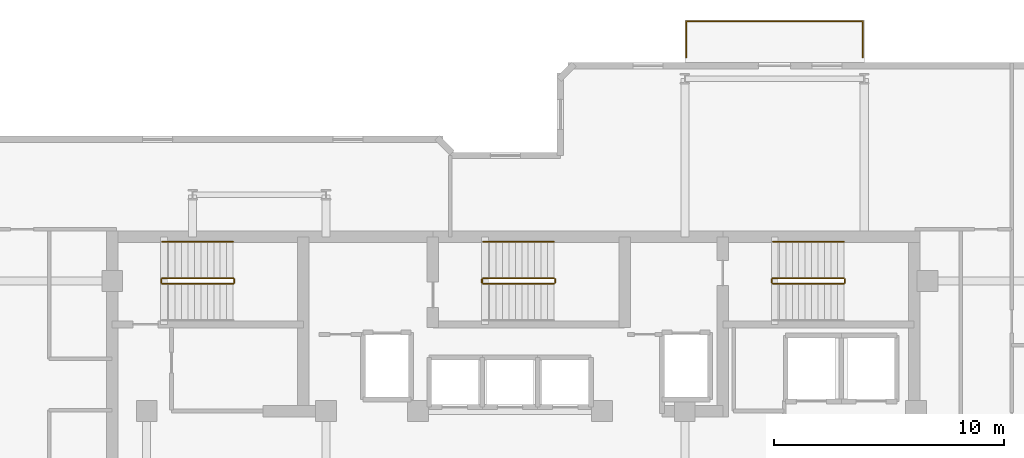
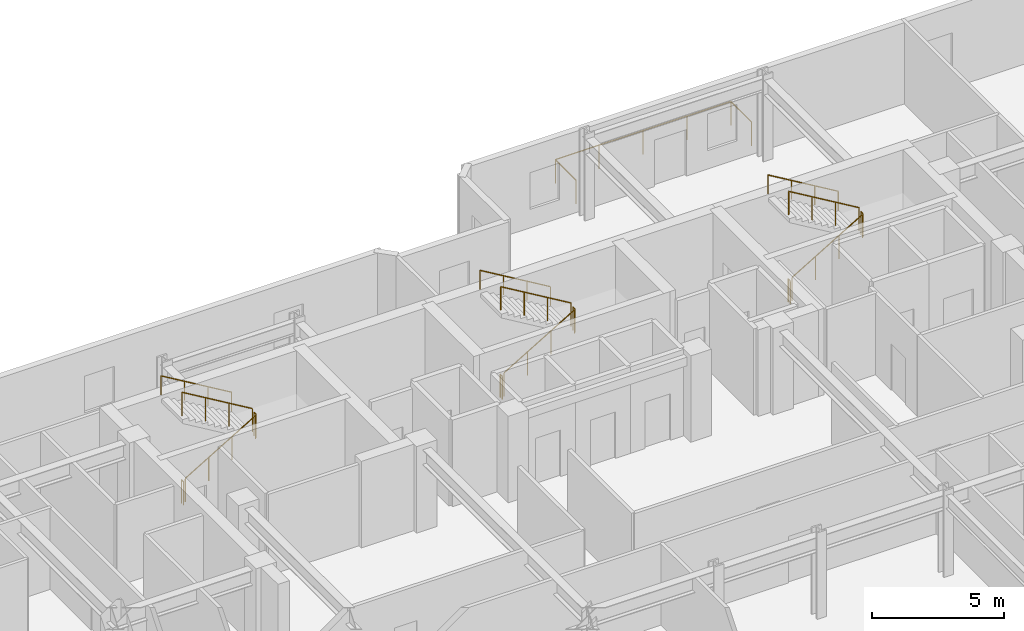
# One storey, part 10 of 10: 16 railings.
"""IFC4 building model written with IfcOpenShell, lengths in metres."""

from ifc_helpers import new_model, si_unit, direction, frame, origin, origin_2d, place, context, subcontext, project, spatial, circle, extrude, material, type_object, element, save


model = new_model("IFC4")

# Units and contexts
model_context = context("Model", 3, precision=1e-05, world=origin(), true_north=direction((0.0, 1.0)))
body_context = subcontext(model_context, "Body", "Model", "MODEL_VIEW")
ifc_project = project(units=[si_unit("LENGTHUNIT", "METRE"), si_unit("AREAUNIT", "SQUARE_METRE"), si_unit("VOLUMEUNIT", "CUBIC_METRE"), si_unit("PLANEANGLEUNIT", "RADIAN"), si_unit("MASSUNIT", "GRAM", prefix="KILO")], contexts=[model_context])

# Site, building, storey
site_placement = place(None, origin())
site = spatial("IfcSite", under=ifc_project, at=site_placement, CompositionType="ELEMENT")
building_placement = place(site_placement, origin())
building = spatial("IfcBuilding", under=site, at=building_placement, Name="Kestravale Grand Hotel", CompositionType="ELEMENT")
storey_placement = place(building_placement, frame((0.0, 0.0, 261.39990234375)))
storey = spatial("IfcBuildingStorey", under=building, at=storey_placement, Name="L65", CompositionType="ELEMENT", Elevation=261.39990234375)

# Railings
ifc_material_1 = material(Name="Champagne-bronze stainless steel and laminated glass guard", Category="steel")
railing_type_1 = type_object("IfcRailingType", Name="RL-EXT-1100", PredefinedType="GUARDRAIL", material=ifc_material_1)
railing_1_placement = place(storey_placement, frame((46.860107421875, 48.1201171875, 0.0)))
element("IfcRailing", 1, at=railing_1_placement, inside=storey, type_object=railing_type_1, Name="L65 outdoor terrace guard 1", PredefinedType="GUARDRAIL", context=body_context, shape_type="SweptSolid", body=[
    extrude(circle(Radius=0.02392578125, at=origin_2d()), frame((0.0, 0.0, 1.09619140625), z_axis=(0.0, 1.0, 0.0), x_axis=(-1.0, 0.0, 0.0)), (0.0, 0.0, 1.0), 1.56982421875),
    extrude(circle(Radius=0.02392578125, at=origin_2d()), frame((0.0, 1.56982421875, 1.09619140625), z_axis=(1.0, 0.0, 0.0), x_axis=(0.0, 1.0, 0.0)), (0.0, 0.0, 1.0), 7.679931640625),
    extrude(circle(Radius=0.02392578125, at=origin_2d()), frame((7.679931640625, 1.56982421875, 1.09619140625), z_axis=(0.0, -1.0, 0.0), x_axis=(1.0, 0.0, 0.0)), (0.0, 0.0, 1.0), 1.56982421875),
    extrude(circle(Radius=0.02099609375, at=origin_2d()), origin(), (0.0, 0.0, 1.0), 1.072021484375),
    extrude(circle(Radius=0.02099609375, at=origin_2d()), frame((0.0, 1.56982421875, 0.0)), (0.0, 0.0, 1.0), 1.072021484375),
    extrude(circle(Radius=0.02099609375, at=origin_2d()), frame((1.919921875, 1.56982421875, 0.0)), (0.0, 0.0, 1.0), 1.072021484375),
    extrude(circle(Radius=0.02099609375, at=origin_2d()), frame((3.83984375, 1.56982421875, 0.0)), (0.0, 0.0, 1.0), 1.072021484375),
    extrude(circle(Radius=0.02099609375, at=origin_2d()), frame((5.760009765625, 1.56982421875, 0.0)), (0.0, 0.0, 1.0), 1.072021484375),
    extrude(circle(Radius=0.02099609375, at=origin_2d()), frame((7.679931640625, 1.56982421875, 0.0)), (0.0, 0.0, 1.0), 1.072021484375),
    extrude(circle(Radius=0.02099609375, at=origin_2d()), frame((7.679931640625, 0.0, 0.0)), (0.0, 0.0, 1.0), 1.072021484375),
])
ifc_material_2 = material(Name="Painted tubular steel stair well guard", Category="steel")
railing_type_2 = type_object("IfcRailingType", Name="RL-ST-GRD1100", PredefinedType="GUARDRAIL", material=ifc_material_2)
railing_2_placement = place(storey_placement, frame((24.080078125, 38.280029296875, 0.166748046875)))
element("IfcRailing", 2, at=railing_2_placement, inside=storey, type_object=railing_type_2, Name="L65 ST-1 stair guard 1", PredefinedType="GUARDRAIL", context=body_context, shape_type="SweptSolid", body=[
    extrude(circle(Radius=0.02392578125, at=origin_2d()), frame((0.0, 0.0, 1.076171875), z_axis=(0.859290745958, 0.0, 0.51148745235), x_axis=(0.0, 1.0, 0.0)), (0.0, 0.0, 1.0), 3.584228515625),
    extrude(circle(Radius=0.02099609375, at=origin_2d()), origin(), (0.0, 0.0, 1.0), 1.052001953125),
    extrude(circle(Radius=0.02099609375, at=origin_2d()), frame((1.026611328125, 0.0, 0.611083984375)), (0.0, 0.0, 1.0), 1.052001953125),
    extrude(circle(Radius=0.02099609375, at=origin_2d()), frame((2.05322265625, 0.0, 1.22216796875)), (0.0, 0.0, 1.0), 1.052001953125),
    extrude(circle(Radius=0.02099609375, at=origin_2d()), frame((3.079833984375, 0.0, 1.833251953125)), (0.0, 0.0, 1.0), 1.052001953125),
])
railing_3_placement = place(storey_placement, frame((27.2099609375, 38.330078125, 2.0)))
element("IfcRailing", 3, at=railing_3_placement, inside=storey, type_object=railing_type_2, Name="L65 ST-1 stair guard 2", PredefinedType="GUARDRAIL", context=body_context, shape_type="SweptSolid", body=[
    extrude(circle(Radius=0.02392578125, at=origin_2d()), frame((0.0, 0.0, 1.076171875), z_axis=(0.0, 1.0, 0.0), x_axis=(-1.0, 0.0, 0.0)), (0.0, 0.0, 1.0), 0.14990234375),
    extrude(circle(Radius=0.02099609375, at=origin_2d()), origin(), (0.0, 0.0, 1.0), 1.052001953125),
    extrude(circle(Radius=0.02099609375, at=origin_2d()), frame((0.0, 0.14990234375, 0.0)), (0.0, 0.0, 1.0), 1.052001953125),
])
railing_4_placement = place(storey_placement, frame((27.159912109375, 38.530029296875, 2.166748046875)))
element("IfcRailing", 4, at=railing_4_placement, inside=storey, type_object=railing_type_2, Name="L65 ST-1 stair guard 3", PredefinedType="GUARDRAIL", context=body_context, shape_type="SweptSolid", body=[
    extrude(circle(Radius=0.02392578125, at=origin_2d()), frame((0.0, 0.0, 1.076171875), z_axis=(-0.859290745958, 0.0, 0.51148745235), x_axis=(0.0, -1.0, 0.0)), (0.0, 0.0, 1.0), 3.584228515625),
    extrude(circle(Radius=0.02099609375, at=origin_2d()), origin(), (0.0, 0.0, 1.0), 1.052001953125),
    extrude(circle(Radius=0.02099609375, at=origin_2d()), frame((-1.026611328125, 0.0, 0.611083984375)), (0.0, 0.0, 1.0), 1.052001953125),
    extrude(circle(Radius=0.02099609375, at=origin_2d()), frame((-2.05322265625, 0.0, 1.22216796875)), (0.0, 0.0, 1.0), 1.052001953125),
    extrude(circle(Radius=0.02099609375, at=origin_2d()), frame((-3.079833984375, 0.0, 1.833251953125)), (0.0, 0.0, 1.0), 1.052001953125),
])
railing_5_placement = place(storey_placement, frame((24.030029296875, 38.330078125, 0.0)))
element("IfcRailing", 5, at=railing_5_placement, inside=storey, type_object=railing_type_2, Name="L65 ST-1 stair guard 4", PredefinedType="GUARDRAIL", context=body_context, shape_type="SweptSolid", body=[
    extrude(circle(Radius=0.02392578125, at=origin_2d()), frame((0.0, 0.0, 1.076171875), z_axis=(0.0, 1.0, 0.0), x_axis=(-1.0, 0.0, 0.0)), (0.0, 0.0, 1.0), 0.14990234375),
    extrude(circle(Radius=0.02099609375, at=origin_2d()), origin(), (0.0, 0.0, 1.0), 1.052001953125),
    extrude(circle(Radius=0.02099609375, at=origin_2d()), frame((0.0, 0.14990234375, 0.0)), (0.0, 0.0, 1.0), 1.052001953125),
])
railing_6_placement = place(storey_placement, frame((38.030029296875, 38.280029296875, 0.166748046875)))
element("IfcRailing", 6, at=railing_6_placement, inside=storey, type_object=railing_type_2, Name="L65 ST-2 stair guard 1", PredefinedType="GUARDRAIL", context=body_context, shape_type="SweptSolid", body=[
    extrude(circle(Radius=0.02392578125, at=origin_2d()), frame((0.0, 0.0, 1.076171875), z_axis=(0.859308565015, 0.0, 0.511457515432), x_axis=(0.0, 1.0, 0.0)), (0.0, 0.0, 1.0), 3.58447265625),
    extrude(circle(Radius=0.02099609375, at=origin_2d()), origin(), (0.0, 0.0, 1.0), 1.052001953125),
    extrude(circle(Radius=0.02099609375, at=origin_2d()), frame((1.026611328125, 0.0, 0.611083984375)), (0.0, 0.0, 1.0), 1.052001953125),
    extrude(circle(Radius=0.02099609375, at=origin_2d()), frame((2.053466796875, 0.0, 1.22216796875)), (0.0, 0.0, 1.0), 1.052001953125),
    extrude(circle(Radius=0.02099609375, at=origin_2d()), frame((3.080078125, 0.0, 1.833251953125)), (0.0, 0.0, 1.0), 1.052001953125),
])
railing_7_placement = place(storey_placement, frame((41.159912109375, 38.330078125, 2.0)))
element("IfcRailing", 7, at=railing_7_placement, inside=storey, type_object=railing_type_2, Name="L65 ST-2 stair guard 2", PredefinedType="GUARDRAIL", context=body_context, shape_type="SweptSolid", body=[
    extrude(circle(Radius=0.02392578125, at=origin_2d()), frame((0.0, 0.0, 1.076171875), z_axis=(0.0, 1.0, 0.0), x_axis=(-1.0, 0.0, 0.0)), (0.0, 0.0, 1.0), 0.14990234375),
    extrude(circle(Radius=0.02099609375, at=origin_2d()), origin(), (0.0, 0.0, 1.0), 1.052001953125),
    extrude(circle(Radius=0.02099609375, at=origin_2d()), frame((0.0, 0.14990234375, 0.0)), (0.0, 0.0, 1.0), 1.052001953125),
])
railing_8_placement = place(storey_placement, frame((41.110107421875, 38.530029296875, 2.166748046875)))
element("IfcRailing", 8, at=railing_8_placement, inside=storey, type_object=railing_type_2, Name="L65 ST-2 stair guard 3", PredefinedType="GUARDRAIL", context=body_context, shape_type="SweptSolid", body=[
    extrude(circle(Radius=0.02392578125, at=origin_2d()), frame((0.0, 0.0, 1.076171875), z_axis=(-0.859308565015, 0.0, 0.511457515432), x_axis=(0.0, -1.0, 0.0)), (0.0, 0.0, 1.0), 3.58447265625),
    extrude(circle(Radius=0.02099609375, at=origin_2d()), origin(), (0.0, 0.0, 1.0), 1.052001953125),
    extrude(circle(Radius=0.02099609375, at=origin_2d()), frame((-1.026611328125, 0.0, 0.611083984375)), (0.0, 0.0, 1.0), 1.052001953125),
    extrude(circle(Radius=0.02099609375, at=origin_2d()), frame((-2.053466796875, 0.0, 1.22216796875)), (0.0, 0.0, 1.0), 1.052001953125),
    extrude(circle(Radius=0.02099609375, at=origin_2d()), frame((-3.080078125, 0.0, 1.833251953125)), (0.0, 0.0, 1.0), 1.052001953125),
])
railing_9_placement = place(storey_placement, frame((37.97998046875, 38.330078125, 0.0)))
element("IfcRailing", 9, at=railing_9_placement, inside=storey, type_object=railing_type_2, Name="L65 ST-2 stair guard 4", PredefinedType="GUARDRAIL", context=body_context, shape_type="SweptSolid", body=[
    extrude(circle(Radius=0.02392578125, at=origin_2d()), frame((0.0, 0.0, 1.076171875), z_axis=(0.0, 1.0, 0.0), x_axis=(-1.0, 0.0, 0.0)), (0.0, 0.0, 1.0), 0.14990234375),
    extrude(circle(Radius=0.02099609375, at=origin_2d()), origin(), (0.0, 0.0, 1.0), 1.052001953125),
    extrude(circle(Radius=0.02099609375, at=origin_2d()), frame((0.0, 0.14990234375, 0.0)), (0.0, 0.0, 1.0), 1.052001953125),
])
railing_10_placement = place(storey_placement, frame((50.6298828125, 38.280029296875, 0.166748046875)))
element("IfcRailing", 10, at=railing_10_placement, inside=storey, type_object=railing_type_2, Name="L65 ST-3 stair guard 1", PredefinedType="GUARDRAIL", context=body_context, shape_type="SweptSolid", body=[
    extrude(circle(Radius=0.02392578125, at=origin_2d()), frame((0.0, 0.0, 1.076171875), z_axis=(0.859308565015, 0.0, 0.511457515432), x_axis=(0.0, 1.0, 0.0)), (0.0, 0.0, 1.0), 3.58447265625),
    extrude(circle(Radius=0.02099609375, at=origin_2d()), origin(), (0.0, 0.0, 1.0), 1.052001953125),
    extrude(circle(Radius=0.02099609375, at=origin_2d()), frame((1.026611328125, 0.0, 0.611083984375)), (0.0, 0.0, 1.0), 1.052001953125),
    extrude(circle(Radius=0.02099609375, at=origin_2d()), frame((2.053466796875, 0.0, 1.22216796875)), (0.0, 0.0, 1.0), 1.052001953125),
    extrude(circle(Radius=0.02099609375, at=origin_2d()), frame((3.080078125, 0.0, 1.833251953125)), (0.0, 0.0, 1.0), 1.052001953125),
])
railing_11_placement = place(storey_placement, frame((53.760009765625, 38.330078125, 2.0)))
element("IfcRailing", 11, at=railing_11_placement, inside=storey, type_object=railing_type_2, Name="L65 ST-3 stair guard 2", PredefinedType="GUARDRAIL", context=body_context, shape_type="SweptSolid", body=[
    extrude(circle(Radius=0.02392578125, at=origin_2d()), frame((0.0, 0.0, 1.076171875), z_axis=(0.0, 1.0, 0.0), x_axis=(-1.0, 0.0, 0.0)), (0.0, 0.0, 1.0), 0.14990234375),
    extrude(circle(Radius=0.02099609375, at=origin_2d()), origin(), (0.0, 0.0, 1.0), 1.052001953125),
    extrude(circle(Radius=0.02099609375, at=origin_2d()), frame((0.0, 0.14990234375, 0.0)), (0.0, 0.0, 1.0), 1.052001953125),
])
railing_12_placement = place(storey_placement, frame((53.7099609375, 38.530029296875, 2.166748046875)))
element("IfcRailing", 12, at=railing_12_placement, inside=storey, type_object=railing_type_2, Name="L65 ST-3 stair guard 3", PredefinedType="GUARDRAIL", context=body_context, shape_type="SweptSolid", body=[
    extrude(circle(Radius=0.02392578125, at=origin_2d()), frame((0.0, 0.0, 1.076171875), z_axis=(-0.859308565015, 0.0, 0.511457515432), x_axis=(0.0, -1.0, 0.0)), (0.0, 0.0, 1.0), 3.58447265625),
    extrude(circle(Radius=0.02099609375, at=origin_2d()), origin(), (0.0, 0.0, 1.0), 1.052001953125),
    extrude(circle(Radius=0.02099609375, at=origin_2d()), frame((-1.026611328125, 0.0, 0.611083984375)), (0.0, 0.0, 1.0), 1.052001953125),
    extrude(circle(Radius=0.02099609375, at=origin_2d()), frame((-2.053466796875, 0.0, 1.22216796875)), (0.0, 0.0, 1.0), 1.052001953125),
    extrude(circle(Radius=0.02099609375, at=origin_2d()), frame((-3.080078125, 0.0, 1.833251953125)), (0.0, 0.0, 1.0), 1.052001953125),
])
railing_13_placement = place(storey_placement, frame((50.580078125, 38.330078125, 0.0)))
element("IfcRailing", 13, at=railing_13_placement, inside=storey, type_object=railing_type_2, Name="L65 ST-3 stair guard 4", PredefinedType="GUARDRAIL", context=body_context, shape_type="SweptSolid", body=[
    extrude(circle(Radius=0.02392578125, at=origin_2d()), frame((0.0, 0.0, 1.076171875), z_axis=(0.0, 1.0, 0.0), x_axis=(-1.0, 0.0, 0.0)), (0.0, 0.0, 1.0), 0.14990234375),
    extrude(circle(Radius=0.02099609375, at=origin_2d()), origin(), (0.0, 0.0, 1.0), 1.052001953125),
    extrude(circle(Radius=0.02099609375, at=origin_2d()), frame((0.0, 0.14990234375, 0.0)), (0.0, 0.0, 1.0), 1.052001953125),
])
ifc_material_3 = material(Name="Brushed stainless steel wall handrail", Category="steel")
railing_type_3 = type_object("IfcRailingType", Name="RL-ST-HND900", PredefinedType="HANDRAIL", material=ifc_material_3)
railing_14_placement = place(storey_placement, frame((27.159912109375, 40.110107421875, 2.166748046875)))
element("IfcRailing", 14, at=railing_14_placement, inside=storey, type_object=railing_type_3, Name="L65 ST-1 stair handrail 2", PredefinedType="HANDRAIL", context=body_context, shape_type="SweptSolid", body=[
    extrude(circle(Radius=0.02392578125, at=origin_2d()), frame((0.0, 0.0, 0.8759765625), z_axis=(-0.859290745958, 0.0, 0.51148745235), x_axis=(0.0, -1.0, 0.0)), (0.0, 0.0, 1.0), 3.584228515625),
    extrude(circle(Radius=0.02099609375, at=origin_2d()), origin(), (0.0, 0.0, 1.0), 0.851806640625),
    extrude(circle(Radius=0.02099609375, at=origin_2d()), frame((-1.026611328125, 0.0, 0.611083984375)), (0.0, 0.0, 1.0), 0.851806640625),
    extrude(circle(Radius=0.02099609375, at=origin_2d()), frame((-2.05322265625, 0.0, 1.22216796875)), (0.0, 0.0, 1.0), 0.851806640625),
    extrude(circle(Radius=0.02099609375, at=origin_2d()), frame((-3.079833984375, 0.0, 1.833251953125)), (0.0, 0.0, 1.0), 0.851806640625),
])
for number, where, name in (
    (15, (41.110107421875, 40.110107421875, 2.166748046875), "L65 ST-2 stair handrail 2"),
    (16, (53.7099609375, 40.110107421875, 2.166748046875), "L65 ST-3 stair handrail 2"),
):
    element("IfcRailing", number, at=place(storey_placement, frame(where)), inside=storey, type_object=railing_type_3, Name=name, PredefinedType="HANDRAIL", context=body_context, shape_type="SweptSolid", body=[
        extrude(circle(Radius=0.02392578125, at=origin_2d()), frame((0.0, 0.0, 0.8759765625), z_axis=(-0.859308565015, 0.0, 0.511457515432), x_axis=(0.0, -1.0, 0.0)), (0.0, 0.0, 1.0), 3.58447265625),
        extrude(circle(Radius=0.02099609375, at=origin_2d()), origin(), (0.0, 0.0, 1.0), 0.851806640625),
        extrude(circle(Radius=0.02099609375, at=origin_2d()), frame((-1.026611328125, 0.0, 0.611083984375)), (0.0, 0.0, 1.0), 0.851806640625),
        extrude(circle(Radius=0.02099609375, at=origin_2d()), frame((-2.053466796875, 0.0, 1.22216796875)), (0.0, 0.0, 1.0), 0.851806640625),
        extrude(circle(Radius=0.02099609375, at=origin_2d()), frame((-3.080078125, 0.0, 1.833251953125)), (0.0, 0.0, 1.0), 0.851806640625),
    ])

save(model, "model.ifc")
